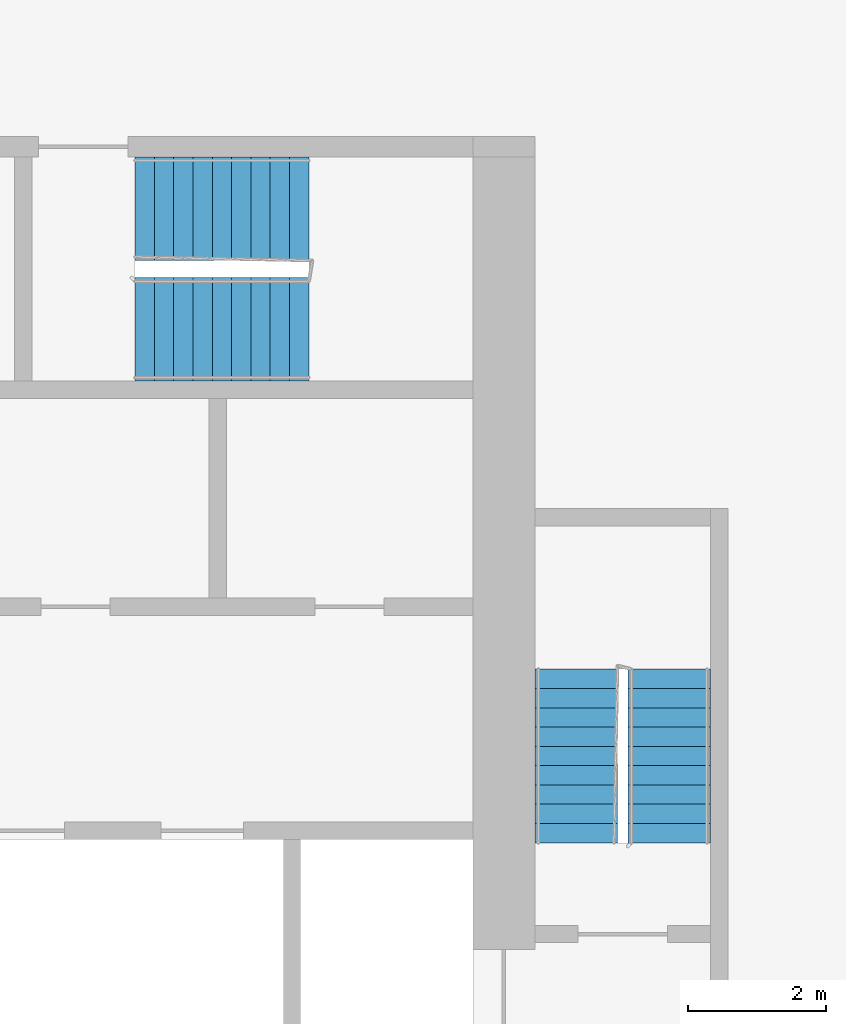
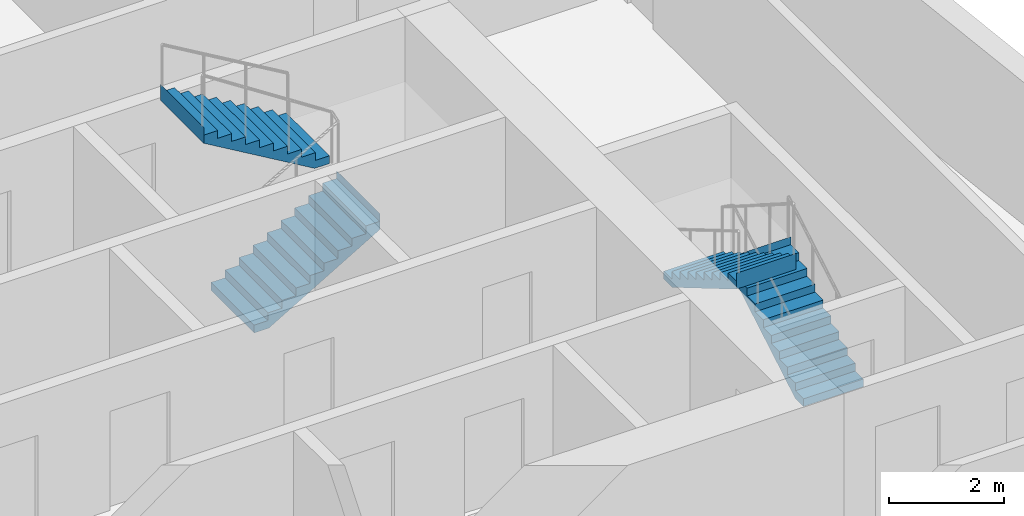
# One storey, part 11 of 12: 4 stair flights, 2 elements without a shape of their own.
"""IFC4 building model written with IfcOpenShell, lengths in metres."""

from ifc_helpers import new_model, si_unit, direction, frame, origin, place, context, subcontext, project, spatial, faceted_brep, material, type_object, element, aggregate, save


model = new_model("IFC4")

# Units and contexts
model_context = context("Model", 3, precision=1e-05, world=origin(), true_north=direction((0.0, 1.0)))
body_context = subcontext(model_context, "Body", "Model", "MODEL_VIEW")
ifc_project = project(units=[si_unit("LENGTHUNIT", "METRE"), si_unit("AREAUNIT", "SQUARE_METRE"), si_unit("VOLUMEUNIT", "CUBIC_METRE"), si_unit("PLANEANGLEUNIT", "RADIAN"), si_unit("MASSUNIT", "GRAM", prefix="KILO")], contexts=[model_context])

# Site, building, storey
site_placement = place(None, origin())
site = spatial("IfcSite", under=ifc_project, at=site_placement, CompositionType="ELEMENT")
building_placement = place(site_placement, origin())
building = spatial("IfcBuilding", under=site, at=building_placement, Name="Kajstack Hotel Tower", CompositionType="ELEMENT")
storey_placement = place(building_placement, frame((0.0, 0.0, 190.0)))
storey = spatial("IfcBuildingStorey", under=building, at=storey_placement, Name="L45", CompositionType="ELEMENT", Elevation=190.0)

# Stair, stair flights
ifc_material = material(Name="Concrete C40/50", Category="concrete")
stair_type_1 = type_object("IfcStairType", Name="Exit stair 1200", PredefinedType="HALF_TURN_STAIR", material=ifc_material)
stair_1_placement = place(storey_placement, origin())
stair_1 = element("IfcStair", 1, at=stair_1_placement, inside=storey, type_object=stair_type_1, Name="L45 stair E1", PredefinedType="HALF_TURN_STAIR")
stair_flight_type_1 = type_object("IfcStairFlightType", Name="Exit stair flight 1200", PredefinedType="STRAIGHT", material=ifc_material)
stair_flight_1_placement = place(storey_placement, frame((33.449951171875, 5.25, 0.0), z_axis=(0.0, 0.0, 1.0), x_axis=(0.0, 1.0, 0.0)))
stair_flight_1 = element("IfcStairFlight", 2, at=stair_flight_1_placement, type_object=stair_flight_type_1, Name="E1 flight 1", NumberOfRisers=10, NumberOfTreads=9, PredefinedType="STRAIGHT", RiserHeight=0.165, TreadLength=0.28, context=body_context, shape_type="Brep", body=[
    faceted_brep([(0.295654296875, -0.60009765625, 0.0), (2.5205078125, -0.60009765625, 1.31103515625), (2.5205078125, -0.60009765625, 1.64990234375), (2.52001953125, -0.60009765625, 1.64990234375), (2.52001953125, -0.60009765625, 1.485107421875), (2.239990234375, -0.60009765625, 1.485107421875), (2.239990234375, -0.60009765625, 1.320068359375), (1.9599609375, -0.60009765625, 1.320068359375), (1.9599609375, -0.60009765625, 1.155029296875), (1.679931640625, -0.60009765625, 1.155029296875), (1.679931640625, -0.60009765625, 0.989990234375), (1.39990234375, -0.60009765625, 0.989990234375), (1.39990234375, -0.60009765625, 0.824951171875), (1.1201171875, -0.60009765625, 0.824951171875), (1.1201171875, -0.60009765625, 0.659912109375), (0.840087890625, -0.60009765625, 0.659912109375), (0.840087890625, -0.60009765625, 0.4951171875), (0.56005859375, -0.60009765625, 0.4951171875), (0.56005859375, -0.60009765625, 0.330078125), (0.280029296875, -0.60009765625, 0.330078125), (0.280029296875, -0.60009765625, 0.1650390625), (-0.00048828125, -0.60009765625, 0.1650390625), (-0.00048828125, -0.60009765625, 0.0), (-0.00048828125, 0.60009765625, 0.0), (-0.00048828125, 0.60009765625, 0.1650390625), (0.280029296875, 0.60009765625, 0.1650390625), (0.280029296875, 0.60009765625, 0.330078125), (0.56005859375, 0.60009765625, 0.330078125), (0.56005859375, 0.60009765625, 0.4951171875), (0.840087890625, 0.60009765625, 0.4951171875), (0.840087890625, 0.60009765625, 0.659912109375), (1.1201171875, 0.60009765625, 0.659912109375), (1.1201171875, 0.60009765625, 0.824951171875), (1.39990234375, 0.60009765625, 0.824951171875), (1.39990234375, 0.60009765625, 0.989990234375), (1.679931640625, 0.60009765625, 0.989990234375), (1.679931640625, 0.60009765625, 1.155029296875), (1.9599609375, 0.60009765625, 1.155029296875), (1.9599609375, 0.60009765625, 1.320068359375), (2.239990234375, 0.60009765625, 1.320068359375), (2.239990234375, 0.60009765625, 1.485107421875), (2.52001953125, 0.60009765625, 1.485107421875), (2.52001953125, 0.60009765625, 1.64990234375), (2.5205078125, 0.60009765625, 1.64990234375), (2.5205078125, 0.60009765625, 1.31103515625), (0.295654296875, 0.60009765625, 0.0), (-0.00048828125, -0.300048828125, 0.1650390625), (-0.00048828125, 0.0, 0.1650390625), (-0.00048828125, 0.300048828125, 0.1650390625), (-0.00048828125, 0.300048828125, 0.0), (-0.00048828125, 0.0, 0.0), (-0.00048828125, -0.300048828125, 0.0), (0.280029296875, -0.300048828125, 0.1650390625), (0.280029296875, 0.0, 0.1650390625), (0.280029296875, 0.300048828125, 0.1650390625), (0.280029296875, -0.300048828125, 0.330078125), (0.280029296875, 0.0, 0.330078125), (0.280029296875, 0.300048828125, 0.330078125), (0.56005859375, -0.300048828125, 0.330078125), (0.56005859375, 0.0, 0.330078125), (0.56005859375, 0.300048828125, 0.330078125), (0.56005859375, -0.300048828125, 0.4951171875), (0.56005859375, 0.0, 0.4951171875), (0.56005859375, 0.300048828125, 0.4951171875), (0.840087890625, -0.300048828125, 0.4951171875), (0.840087890625, 0.0, 0.4951171875), (0.840087890625, 0.300048828125, 0.4951171875), (0.840087890625, -0.300048828125, 0.659912109375), (0.840087890625, 0.0, 0.659912109375), (0.840087890625, 0.300048828125, 0.659912109375), (1.1201171875, -0.300048828125, 0.659912109375), (1.1201171875, 0.0, 0.659912109375), (1.1201171875, 0.300048828125, 0.659912109375), (1.1201171875, -0.300048828125, 0.824951171875), (1.1201171875, 0.0, 0.824951171875), (1.1201171875, 0.300048828125, 0.824951171875), (1.39990234375, -0.300048828125, 0.824951171875), (1.39990234375, 0.0, 0.824951171875), (1.39990234375, 0.300048828125, 0.824951171875), (1.39990234375, -0.300048828125, 0.989990234375), (1.39990234375, 0.0, 0.989990234375), (1.39990234375, 0.300048828125, 0.989990234375), (1.679931640625, -0.300048828125, 0.989990234375), (1.679931640625, 0.0, 0.989990234375), (1.679931640625, 0.300048828125, 0.989990234375), (1.679931640625, -0.300048828125, 1.155029296875), (1.679931640625, 0.0, 1.155029296875), (1.679931640625, 0.300048828125, 1.155029296875), (1.9599609375, -0.300048828125, 1.155029296875), (1.9599609375, 0.0, 1.155029296875), (1.9599609375, 0.300048828125, 1.155029296875), (1.9599609375, -0.300048828125, 1.320068359375), (1.9599609375, 0.0, 1.320068359375), (1.9599609375, 0.300048828125, 1.320068359375), (2.239990234375, -0.300048828125, 1.320068359375), (2.239990234375, 0.0, 1.320068359375), (2.239990234375, 0.300048828125, 1.320068359375), (2.239990234375, -0.300048828125, 1.485107421875), (2.239990234375, 0.0, 1.485107421875), (2.239990234375, 0.300048828125, 1.485107421875), (2.52001953125, -0.300048828125, 1.485107421875), (2.52001953125, 0.0, 1.485107421875), (2.52001953125, 0.300048828125, 1.485107421875), (2.52001953125, -0.300048828125, 1.64990234375), (2.52001953125, 0.0, 1.64990234375), (2.52001953125, 0.300048828125, 1.64990234375), (2.5205078125, -0.300048828125, 1.64990234375), (2.5205078125, 0.0, 1.64990234375), (2.5205078125, 0.300048828125, 1.64990234375), (2.5205078125, -0.300048828125, 1.31103515625), (2.5205078125, 0.0, 1.31103515625), (2.5205078125, 0.300048828125, 1.31103515625), (0.295654296875, -0.300048828125, 0.0), (0.295654296875, 0.0, 0.0), (0.295654296875, 0.300048828125, 0.0)], [[[0, 1, 2, 3, 4, 5, 6, 7, 8, 9, 10, 11, 12, 13, 14, 15, 16, 17, 18, 19, 20, 21, 22]], [[23, 24, 25, 26, 27, 28, 29, 30, 31, 32, 33, 34, 35, 36, 37, 38, 39, 40, 41, 42, 43, 44, 45]], [[21, 46, 47, 48, 24, 23, 49, 50, 51, 22]], [[20, 52, 53, 54, 25, 24, 48, 47, 46, 21]], [[19, 55, 56, 57, 26, 25, 54, 53, 52, 20]], [[18, 58, 59, 60, 27, 26, 57, 56, 55, 19]], [[17, 61, 62, 63, 28, 27, 60, 59, 58, 18]], [[16, 64, 65, 66, 29, 28, 63, 62, 61, 17]], [[15, 67, 68, 69, 30, 29, 66, 65, 64, 16]], [[14, 70, 71, 72, 31, 30, 69, 68, 67, 15]], [[13, 73, 74, 75, 32, 31, 72, 71, 70, 14]], [[12, 76, 77, 78, 33, 32, 75, 74, 73, 13]], [[11, 79, 80, 81, 34, 33, 78, 77, 76, 12]], [[10, 82, 83, 84, 35, 34, 81, 80, 79, 11]], [[9, 85, 86, 87, 36, 35, 84, 83, 82, 10]], [[8, 88, 89, 90, 37, 36, 87, 86, 85, 9]], [[7, 91, 92, 93, 38, 37, 90, 89, 88, 8]], [[6, 94, 95, 96, 39, 38, 93, 92, 91, 7]], [[5, 97, 98, 99, 40, 39, 96, 95, 94, 6]], [[4, 100, 101, 102, 41, 40, 99, 98, 97, 5]], [[3, 103, 104, 105, 42, 41, 102, 101, 100, 4]], [[2, 106, 107, 108, 43, 42, 105, 104, 103, 3]], [[1, 109, 110, 111, 44, 43, 108, 107, 106, 2]], [[0, 112, 113, 114, 45, 44, 111, 110, 109, 1]], [[22, 51, 50, 49, 23, 45, 114, 113, 112, 0]]]),
])
stair_flight_2_placement = place(storey_placement, frame((32.10009765625, 7.77001953125, 1.64990234375), z_axis=(0.0, 0.0, 1.0), x_axis=(0.0, -1.0, 0.0)))
stair_flight_2 = element("IfcStairFlight", 3, at=stair_flight_2_placement, type_object=stair_flight_type_1, Name="E1 flight 2", NumberOfRisers=10, NumberOfTreads=9, PredefinedType="STRAIGHT", RiserHeight=0.165, TreadLength=0.28, context=body_context, shape_type="Brep", body=[
    faceted_brep([(0.295654296875, -0.60009765625, 0.0), (2.5205078125, -0.60009765625, 1.31103515625), (2.5205078125, -0.60009765625, 1.64990234375), (2.52001953125, -0.60009765625, 1.64990234375), (2.52001953125, -0.60009765625, 1.485107421875), (2.239990234375, -0.60009765625, 1.485107421875), (2.239990234375, -0.60009765625, 1.320068359375), (1.9599609375, -0.60009765625, 1.320068359375), (1.9599609375, -0.60009765625, 1.155029296875), (1.679931640625, -0.60009765625, 1.155029296875), (1.679931640625, -0.60009765625, 0.989990234375), (1.39990234375, -0.60009765625, 0.989990234375), (1.39990234375, -0.60009765625, 0.824951171875), (1.1201171875, -0.60009765625, 0.824951171875), (1.1201171875, -0.60009765625, 0.659912109375), (0.840087890625, -0.60009765625, 0.659912109375), (0.840087890625, -0.60009765625, 0.4951171875), (0.56005859375, -0.60009765625, 0.4951171875), (0.56005859375, -0.60009765625, 0.330078125), (0.280029296875, -0.60009765625, 0.330078125), (0.280029296875, -0.60009765625, 0.1650390625), (-0.00048828125, -0.60009765625, 0.1650390625), (-0.00048828125, -0.60009765625, 0.0), (-0.00048828125, 0.60009765625, 0.0), (-0.00048828125, 0.60009765625, 0.1650390625), (0.280029296875, 0.60009765625, 0.1650390625), (0.280029296875, 0.60009765625, 0.330078125), (0.56005859375, 0.60009765625, 0.330078125), (0.56005859375, 0.60009765625, 0.4951171875), (0.840087890625, 0.60009765625, 0.4951171875), (0.840087890625, 0.60009765625, 0.659912109375), (1.1201171875, 0.60009765625, 0.659912109375), (1.1201171875, 0.60009765625, 0.824951171875), (1.39990234375, 0.60009765625, 0.824951171875), (1.39990234375, 0.60009765625, 0.989990234375), (1.679931640625, 0.60009765625, 0.989990234375), (1.679931640625, 0.60009765625, 1.155029296875), (1.9599609375, 0.60009765625, 1.155029296875), (1.9599609375, 0.60009765625, 1.320068359375), (2.239990234375, 0.60009765625, 1.320068359375), (2.239990234375, 0.60009765625, 1.485107421875), (2.52001953125, 0.60009765625, 1.485107421875), (2.52001953125, 0.60009765625, 1.64990234375), (2.5205078125, 0.60009765625, 1.64990234375), (2.5205078125, 0.60009765625, 1.31103515625), (0.295654296875, 0.60009765625, 0.0), (-0.00048828125, -0.300048828125, 0.1650390625), (-0.00048828125, 0.0, 0.1650390625), (-0.00048828125, 0.300048828125, 0.1650390625), (-0.00048828125, 0.300048828125, 0.0), (-0.00048828125, 0.0, 0.0), (-0.00048828125, -0.300048828125, 0.0), (0.280029296875, -0.300048828125, 0.1650390625), (0.280029296875, 0.0, 0.1650390625), (0.280029296875, 0.300048828125, 0.1650390625), (0.280029296875, -0.300048828125, 0.330078125), (0.280029296875, 0.0, 0.330078125), (0.280029296875, 0.300048828125, 0.330078125), (0.56005859375, -0.300048828125, 0.330078125), (0.56005859375, 0.0, 0.330078125), (0.56005859375, 0.300048828125, 0.330078125), (0.56005859375, -0.300048828125, 0.4951171875), (0.56005859375, 0.0, 0.4951171875), (0.56005859375, 0.300048828125, 0.4951171875), (0.840087890625, -0.300048828125, 0.4951171875), (0.840087890625, 0.0, 0.4951171875), (0.840087890625, 0.300048828125, 0.4951171875), (0.840087890625, -0.300048828125, 0.659912109375), (0.840087890625, 0.0, 0.659912109375), (0.840087890625, 0.300048828125, 0.659912109375), (1.1201171875, -0.300048828125, 0.659912109375), (1.1201171875, 0.0, 0.659912109375), (1.1201171875, 0.300048828125, 0.659912109375), (1.1201171875, -0.300048828125, 0.824951171875), (1.1201171875, 0.0, 0.824951171875), (1.1201171875, 0.300048828125, 0.824951171875), (1.39990234375, -0.300048828125, 0.824951171875), (1.39990234375, 0.0, 0.824951171875), (1.39990234375, 0.300048828125, 0.824951171875), (1.39990234375, -0.300048828125, 0.989990234375), (1.39990234375, 0.0, 0.989990234375), (1.39990234375, 0.300048828125, 0.989990234375), (1.679931640625, -0.300048828125, 0.989990234375), (1.679931640625, 0.0, 0.989990234375), (1.679931640625, 0.300048828125, 0.989990234375), (1.679931640625, -0.300048828125, 1.155029296875), (1.679931640625, 0.0, 1.155029296875), (1.679931640625, 0.300048828125, 1.155029296875), (1.9599609375, -0.300048828125, 1.155029296875), (1.9599609375, 0.0, 1.155029296875), (1.9599609375, 0.300048828125, 1.155029296875), (1.9599609375, -0.300048828125, 1.320068359375), (1.9599609375, 0.0, 1.320068359375), (1.9599609375, 0.300048828125, 1.320068359375), (2.239990234375, -0.300048828125, 1.320068359375), (2.239990234375, 0.0, 1.320068359375), (2.239990234375, 0.300048828125, 1.320068359375), (2.239990234375, -0.300048828125, 1.485107421875), (2.239990234375, 0.0, 1.485107421875), (2.239990234375, 0.300048828125, 1.485107421875), (2.52001953125, -0.300048828125, 1.485107421875), (2.52001953125, 0.0, 1.485107421875), (2.52001953125, 0.300048828125, 1.485107421875), (2.52001953125, -0.300048828125, 1.64990234375), (2.52001953125, 0.0, 1.64990234375), (2.52001953125, 0.300048828125, 1.64990234375), (2.5205078125, -0.300048828125, 1.64990234375), (2.5205078125, 0.0, 1.64990234375), (2.5205078125, 0.300048828125, 1.64990234375), (2.5205078125, -0.300048828125, 1.31103515625), (2.5205078125, 0.0, 1.31103515625), (2.5205078125, 0.300048828125, 1.31103515625), (0.295654296875, -0.300048828125, 0.0), (0.295654296875, 0.0, 0.0), (0.295654296875, 0.300048828125, 0.0)], [[[0, 1, 2, 3, 4, 5, 6, 7, 8, 9, 10, 11, 12, 13, 14, 15, 16, 17, 18, 19, 20, 21, 22]], [[23, 24, 25, 26, 27, 28, 29, 30, 31, 32, 33, 34, 35, 36, 37, 38, 39, 40, 41, 42, 43, 44, 45]], [[21, 46, 47, 48, 24, 23, 49, 50, 51, 22]], [[20, 52, 53, 54, 25, 24, 48, 47, 46, 21]], [[19, 55, 56, 57, 26, 25, 54, 53, 52, 20]], [[18, 58, 59, 60, 27, 26, 57, 56, 55, 19]], [[17, 61, 62, 63, 28, 27, 60, 59, 58, 18]], [[16, 64, 65, 66, 29, 28, 63, 62, 61, 17]], [[15, 67, 68, 69, 30, 29, 66, 65, 64, 16]], [[14, 70, 71, 72, 31, 30, 69, 68, 67, 15]], [[13, 73, 74, 75, 32, 31, 72, 71, 70, 14]], [[12, 76, 77, 78, 33, 32, 75, 74, 73, 13]], [[11, 79, 80, 81, 34, 33, 78, 77, 76, 12]], [[10, 82, 83, 84, 35, 34, 81, 80, 79, 11]], [[9, 85, 86, 87, 36, 35, 84, 83, 82, 10]], [[8, 88, 89, 90, 37, 36, 87, 86, 85, 9]], [[7, 91, 92, 93, 38, 37, 90, 89, 88, 8]], [[6, 94, 95, 96, 39, 38, 93, 92, 91, 7]], [[5, 97, 98, 99, 40, 39, 96, 95, 94, 6]], [[4, 100, 101, 102, 41, 40, 99, 98, 97, 5]], [[3, 103, 104, 105, 42, 41, 102, 101, 100, 4]], [[2, 106, 107, 108, 43, 42, 105, 104, 103, 3]], [[1, 109, 110, 111, 44, 43, 108, 107, 106, 2]], [[0, 112, 113, 114, 45, 44, 111, 110, 109, 1]], [[22, 51, 50, 49, 23, 45, 114, 113, 112, 0]]]),
])
aggregate(stair_1, [stair_flight_1, stair_flight_2])

stair_type_2 = type_object("IfcStairType", Name="Exit stair 1500", PredefinedType="HALF_TURN_STAIR", material=ifc_material)
stair_2_placement = place(storey_placement, origin())
stair_2 = element("IfcStair", 4, at=stair_2_placement, inside=storey, type_object=stair_type_2, Name="L45 stair E3", PredefinedType="HALF_TURN_STAIR")
stair_flight_type_2 = type_object("IfcStairFlightType", Name="Exit stair flight 1500", PredefinedType="STRAIGHT", material=ifc_material)
stair_flight_3_placement = place(storey_placement, frame((25.699951171875, 12.699951171875, 0.0), z_axis=(0.0, 0.0, 1.0), x_axis=(1.0, 0.0, 0.0)))
stair_flight_3 = element("IfcStairFlight", 5, at=stair_flight_3_placement, type_object=stair_flight_type_2, Name="E3 flight 1", NumberOfRisers=10, NumberOfTreads=9, PredefinedType="STRAIGHT", RiserHeight=0.165, TreadLength=0.28, context=body_context, shape_type="Brep", body=[
    faceted_brep([(0.295654296875, -0.75, 0.0), (2.5205078125, -0.75, 1.31103515625), (2.5205078125, -0.75, 1.64990234375), (2.52001953125, -0.75, 1.64990234375), (2.52001953125, -0.75, 1.485107421875), (2.239990234375, -0.75, 1.485107421875), (2.239990234375, -0.75, 1.320068359375), (1.9599609375, -0.75, 1.320068359375), (1.9599609375, -0.75, 1.155029296875), (1.679931640625, -0.75, 1.155029296875), (1.679931640625, -0.75, 0.989990234375), (1.39990234375, -0.75, 0.989990234375), (1.39990234375, -0.75, 0.824951171875), (1.1201171875, -0.75, 0.824951171875), (1.1201171875, -0.75, 0.659912109375), (0.840087890625, -0.75, 0.659912109375), (0.840087890625, -0.75, 0.4951171875), (0.56005859375, -0.75, 0.4951171875), (0.56005859375, -0.75, 0.330078125), (0.280029296875, -0.75, 0.330078125), (0.280029296875, -0.75, 0.1650390625), (-0.00048828125, -0.75, 0.1650390625), (-0.00048828125, -0.75, 0.0), (-0.00048828125, 0.75, 0.0), (-0.00048828125, 0.75, 0.1650390625), (0.280029296875, 0.75, 0.1650390625), (0.280029296875, 0.75, 0.330078125), (0.56005859375, 0.75, 0.330078125), (0.56005859375, 0.75, 0.4951171875), (0.840087890625, 0.75, 0.4951171875), (0.840087890625, 0.75, 0.659912109375), (1.1201171875, 0.75, 0.659912109375), (1.1201171875, 0.75, 0.824951171875), (1.39990234375, 0.75, 0.824951171875), (1.39990234375, 0.75, 0.989990234375), (1.679931640625, 0.75, 0.989990234375), (1.679931640625, 0.75, 1.155029296875), (1.9599609375, 0.75, 1.155029296875), (1.9599609375, 0.75, 1.320068359375), (2.239990234375, 0.75, 1.320068359375), (2.239990234375, 0.75, 1.485107421875), (2.52001953125, 0.75, 1.485107421875), (2.52001953125, 0.75, 1.64990234375), (2.5205078125, 0.75, 1.64990234375), (2.5205078125, 0.75, 1.31103515625), (0.295654296875, 0.75, 0.0), (-0.00048828125, -0.375, 0.1650390625), (-0.00048828125, 0.0, 0.1650390625), (-0.00048828125, 0.375, 0.1650390625), (-0.00048828125, 0.375, 0.0), (-0.00048828125, 0.0, 0.0), (-0.00048828125, -0.375, 0.0), (0.280029296875, -0.375, 0.1650390625), (0.280029296875, 0.0, 0.1650390625), (0.280029296875, 0.375, 0.1650390625), (0.280029296875, -0.375, 0.330078125), (0.280029296875, 0.0, 0.330078125), (0.280029296875, 0.375, 0.330078125), (0.56005859375, -0.375, 0.330078125), (0.56005859375, 0.0, 0.330078125), (0.56005859375, 0.375, 0.330078125), (0.56005859375, -0.375, 0.4951171875), (0.56005859375, 0.0, 0.4951171875), (0.56005859375, 0.375, 0.4951171875), (0.840087890625, -0.375, 0.4951171875), (0.840087890625, 0.0, 0.4951171875), (0.840087890625, 0.375, 0.4951171875), (0.840087890625, -0.375, 0.659912109375), (0.840087890625, 0.0, 0.659912109375), (0.840087890625, 0.375, 0.659912109375), (1.1201171875, -0.375, 0.659912109375), (1.1201171875, 0.0, 0.659912109375), (1.1201171875, 0.375, 0.659912109375), (1.1201171875, -0.375, 0.824951171875), (1.1201171875, 0.0, 0.824951171875), (1.1201171875, 0.375, 0.824951171875), (1.39990234375, -0.375, 0.824951171875), (1.39990234375, 0.0, 0.824951171875), (1.39990234375, 0.375, 0.824951171875), (1.39990234375, -0.375, 0.989990234375), (1.39990234375, 0.0, 0.989990234375), (1.39990234375, 0.375, 0.989990234375), (1.679931640625, -0.375, 0.989990234375), (1.679931640625, 0.0, 0.989990234375), (1.679931640625, 0.375, 0.989990234375), (1.679931640625, -0.375, 1.155029296875), (1.679931640625, 0.0, 1.155029296875), (1.679931640625, 0.375, 1.155029296875), (1.9599609375, -0.375, 1.155029296875), (1.9599609375, 0.0, 1.155029296875), (1.9599609375, 0.375, 1.155029296875), (1.9599609375, -0.375, 1.320068359375), (1.9599609375, 0.0, 1.320068359375), (1.9599609375, 0.375, 1.320068359375), (2.239990234375, -0.375, 1.320068359375), (2.239990234375, 0.0, 1.320068359375), (2.239990234375, 0.375, 1.320068359375), (2.239990234375, -0.375, 1.485107421875), (2.239990234375, 0.0, 1.485107421875), (2.239990234375, 0.375, 1.485107421875), (2.52001953125, -0.375, 1.485107421875), (2.52001953125, 0.0, 1.485107421875), (2.52001953125, 0.375, 1.485107421875), (2.52001953125, -0.375, 1.64990234375), (2.52001953125, 0.0, 1.64990234375), (2.52001953125, 0.375, 1.64990234375), (2.5205078125, -0.375, 1.64990234375), (2.5205078125, 0.0, 1.64990234375), (2.5205078125, 0.375, 1.64990234375), (2.5205078125, -0.375, 1.31103515625), (2.5205078125, 0.0, 1.31103515625), (2.5205078125, 0.375, 1.31103515625), (0.295654296875, -0.375, 0.0), (0.295654296875, 0.0, 0.0), (0.295654296875, 0.375, 0.0)], [[[0, 1, 2, 3, 4, 5, 6, 7, 8, 9, 10, 11, 12, 13, 14, 15, 16, 17, 18, 19, 20, 21, 22]], [[23, 24, 25, 26, 27, 28, 29, 30, 31, 32, 33, 34, 35, 36, 37, 38, 39, 40, 41, 42, 43, 44, 45]], [[21, 46, 47, 48, 24, 23, 49, 50, 51, 22]], [[20, 52, 53, 54, 25, 24, 48, 47, 46, 21]], [[19, 55, 56, 57, 26, 25, 54, 53, 52, 20]], [[18, 58, 59, 60, 27, 26, 57, 56, 55, 19]], [[17, 61, 62, 63, 28, 27, 60, 59, 58, 18]], [[16, 64, 65, 66, 29, 28, 63, 62, 61, 17]], [[15, 67, 68, 69, 30, 29, 66, 65, 64, 16]], [[14, 70, 71, 72, 31, 30, 69, 68, 67, 15]], [[13, 73, 74, 75, 32, 31, 72, 71, 70, 14]], [[12, 76, 77, 78, 33, 32, 75, 74, 73, 13]], [[11, 79, 80, 81, 34, 33, 78, 77, 76, 12]], [[10, 82, 83, 84, 35, 34, 81, 80, 79, 11]], [[9, 85, 86, 87, 36, 35, 84, 83, 82, 10]], [[8, 88, 89, 90, 37, 36, 87, 86, 85, 9]], [[7, 91, 92, 93, 38, 37, 90, 89, 88, 8]], [[6, 94, 95, 96, 39, 38, 93, 92, 91, 7]], [[5, 97, 98, 99, 40, 39, 96, 95, 94, 6]], [[4, 100, 101, 102, 41, 40, 99, 98, 97, 5]], [[3, 103, 104, 105, 42, 41, 102, 101, 100, 4]], [[2, 106, 107, 108, 43, 42, 105, 104, 103, 3]], [[1, 109, 110, 111, 44, 43, 108, 107, 106, 2]], [[0, 112, 113, 114, 45, 44, 111, 110, 109, 1]], [[22, 51, 50, 49, 23, 45, 114, 113, 112, 0]]]),
])
stair_flight_4_placement = place(storey_placement, frame((28.219970703125, 14.449951171875, 1.64990234375), z_axis=(0.0, 0.0, 1.0), x_axis=(-1.0, 0.0, 0.0)))
stair_flight_4 = element("IfcStairFlight", 6, at=stair_flight_4_placement, type_object=stair_flight_type_2, Name="E3 flight 2", NumberOfRisers=10, NumberOfTreads=9, PredefinedType="STRAIGHT", RiserHeight=0.165, TreadLength=0.28, context=body_context, shape_type="Brep", body=[
    faceted_brep([(0.295654296875, -0.75, 0.0), (2.5205078125, -0.75, 1.31103515625), (2.5205078125, -0.75, 1.64990234375), (2.52001953125, -0.75, 1.64990234375), (2.52001953125, -0.75, 1.485107421875), (2.239990234375, -0.75, 1.485107421875), (2.239990234375, -0.75, 1.320068359375), (1.9599609375, -0.75, 1.320068359375), (1.9599609375, -0.75, 1.155029296875), (1.679931640625, -0.75, 1.155029296875), (1.679931640625, -0.75, 0.989990234375), (1.39990234375, -0.75, 0.989990234375), (1.39990234375, -0.75, 0.824951171875), (1.1201171875, -0.75, 0.824951171875), (1.1201171875, -0.75, 0.659912109375), (0.840087890625, -0.75, 0.659912109375), (0.840087890625, -0.75, 0.4951171875), (0.56005859375, -0.75, 0.4951171875), (0.56005859375, -0.75, 0.330078125), (0.280029296875, -0.75, 0.330078125), (0.280029296875, -0.75, 0.1650390625), (-0.00048828125, -0.75, 0.1650390625), (-0.00048828125, -0.75, 0.0), (-0.00048828125, 0.75, 0.0), (-0.00048828125, 0.75, 0.1650390625), (0.280029296875, 0.75, 0.1650390625), (0.280029296875, 0.75, 0.330078125), (0.56005859375, 0.75, 0.330078125), (0.56005859375, 0.75, 0.4951171875), (0.840087890625, 0.75, 0.4951171875), (0.840087890625, 0.75, 0.659912109375), (1.1201171875, 0.75, 0.659912109375), (1.1201171875, 0.75, 0.824951171875), (1.39990234375, 0.75, 0.824951171875), (1.39990234375, 0.75, 0.989990234375), (1.679931640625, 0.75, 0.989990234375), (1.679931640625, 0.75, 1.155029296875), (1.9599609375, 0.75, 1.155029296875), (1.9599609375, 0.75, 1.320068359375), (2.239990234375, 0.75, 1.320068359375), (2.239990234375, 0.75, 1.485107421875), (2.52001953125, 0.75, 1.485107421875), (2.52001953125, 0.75, 1.64990234375), (2.5205078125, 0.75, 1.64990234375), (2.5205078125, 0.75, 1.31103515625), (0.295654296875, 0.75, 0.0), (-0.00048828125, -0.375, 0.1650390625), (-0.00048828125, 0.0, 0.1650390625), (-0.00048828125, 0.375, 0.1650390625), (-0.00048828125, 0.375, 0.0), (-0.00048828125, 0.0, 0.0), (-0.00048828125, -0.375, 0.0), (0.280029296875, -0.375, 0.1650390625), (0.280029296875, 0.0, 0.1650390625), (0.280029296875, 0.375, 0.1650390625), (0.280029296875, -0.375, 0.330078125), (0.280029296875, 0.0, 0.330078125), (0.280029296875, 0.375, 0.330078125), (0.56005859375, -0.375, 0.330078125), (0.56005859375, 0.0, 0.330078125), (0.56005859375, 0.375, 0.330078125), (0.56005859375, -0.375, 0.4951171875), (0.56005859375, 0.0, 0.4951171875), (0.56005859375, 0.375, 0.4951171875), (0.840087890625, -0.375, 0.4951171875), (0.840087890625, 0.0, 0.4951171875), (0.840087890625, 0.375, 0.4951171875), (0.840087890625, -0.375, 0.659912109375), (0.840087890625, 0.0, 0.659912109375), (0.840087890625, 0.375, 0.659912109375), (1.1201171875, -0.375, 0.659912109375), (1.1201171875, 0.0, 0.659912109375), (1.1201171875, 0.375, 0.659912109375), (1.1201171875, -0.375, 0.824951171875), (1.1201171875, 0.0, 0.824951171875), (1.1201171875, 0.375, 0.824951171875), (1.39990234375, -0.375, 0.824951171875), (1.39990234375, 0.0, 0.824951171875), (1.39990234375, 0.375, 0.824951171875), (1.39990234375, -0.375, 0.989990234375), (1.39990234375, 0.0, 0.989990234375), (1.39990234375, 0.375, 0.989990234375), (1.679931640625, -0.375, 0.989990234375), (1.679931640625, 0.0, 0.989990234375), (1.679931640625, 0.375, 0.989990234375), (1.679931640625, -0.375, 1.155029296875), (1.679931640625, 0.0, 1.155029296875), (1.679931640625, 0.375, 1.155029296875), (1.9599609375, -0.375, 1.155029296875), (1.9599609375, 0.0, 1.155029296875), (1.9599609375, 0.375, 1.155029296875), (1.9599609375, -0.375, 1.320068359375), (1.9599609375, 0.0, 1.320068359375), (1.9599609375, 0.375, 1.320068359375), (2.239990234375, -0.375, 1.320068359375), (2.239990234375, 0.0, 1.320068359375), (2.239990234375, 0.375, 1.320068359375), (2.239990234375, -0.375, 1.485107421875), (2.239990234375, 0.0, 1.485107421875), (2.239990234375, 0.375, 1.485107421875), (2.52001953125, -0.375, 1.485107421875), (2.52001953125, 0.0, 1.485107421875), (2.52001953125, 0.375, 1.485107421875), (2.52001953125, -0.375, 1.64990234375), (2.52001953125, 0.0, 1.64990234375), (2.52001953125, 0.375, 1.64990234375), (2.5205078125, -0.375, 1.64990234375), (2.5205078125, 0.0, 1.64990234375), (2.5205078125, 0.375, 1.64990234375), (2.5205078125, -0.375, 1.31103515625), (2.5205078125, 0.0, 1.31103515625), (2.5205078125, 0.375, 1.31103515625), (0.295654296875, -0.375, 0.0), (0.295654296875, 0.0, 0.0), (0.295654296875, 0.375, 0.0)], [[[0, 1, 2, 3, 4, 5, 6, 7, 8, 9, 10, 11, 12, 13, 14, 15, 16, 17, 18, 19, 20, 21, 22]], [[23, 24, 25, 26, 27, 28, 29, 30, 31, 32, 33, 34, 35, 36, 37, 38, 39, 40, 41, 42, 43, 44, 45]], [[21, 46, 47, 48, 24, 23, 49, 50, 51, 22]], [[20, 52, 53, 54, 25, 24, 48, 47, 46, 21]], [[19, 55, 56, 57, 26, 25, 54, 53, 52, 20]], [[18, 58, 59, 60, 27, 26, 57, 56, 55, 19]], [[17, 61, 62, 63, 28, 27, 60, 59, 58, 18]], [[16, 64, 65, 66, 29, 28, 63, 62, 61, 17]], [[15, 67, 68, 69, 30, 29, 66, 65, 64, 16]], [[14, 70, 71, 72, 31, 30, 69, 68, 67, 15]], [[13, 73, 74, 75, 32, 31, 72, 71, 70, 14]], [[12, 76, 77, 78, 33, 32, 75, 74, 73, 13]], [[11, 79, 80, 81, 34, 33, 78, 77, 76, 12]], [[10, 82, 83, 84, 35, 34, 81, 80, 79, 11]], [[9, 85, 86, 87, 36, 35, 84, 83, 82, 10]], [[8, 88, 89, 90, 37, 36, 87, 86, 85, 9]], [[7, 91, 92, 93, 38, 37, 90, 89, 88, 8]], [[6, 94, 95, 96, 39, 38, 93, 92, 91, 7]], [[5, 97, 98, 99, 40, 39, 96, 95, 94, 6]], [[4, 100, 101, 102, 41, 40, 99, 98, 97, 5]], [[3, 103, 104, 105, 42, 41, 102, 101, 100, 4]], [[2, 106, 107, 108, 43, 42, 105, 104, 103, 3]], [[1, 109, 110, 111, 44, 43, 108, 107, 106, 2]], [[0, 112, 113, 114, 45, 44, 111, 110, 109, 1]], [[22, 51, 50, 49, 23, 45, 114, 113, 112, 0]]]),
])
aggregate(stair_2, [stair_flight_3, stair_flight_4])

save(model, "model.ifc")
